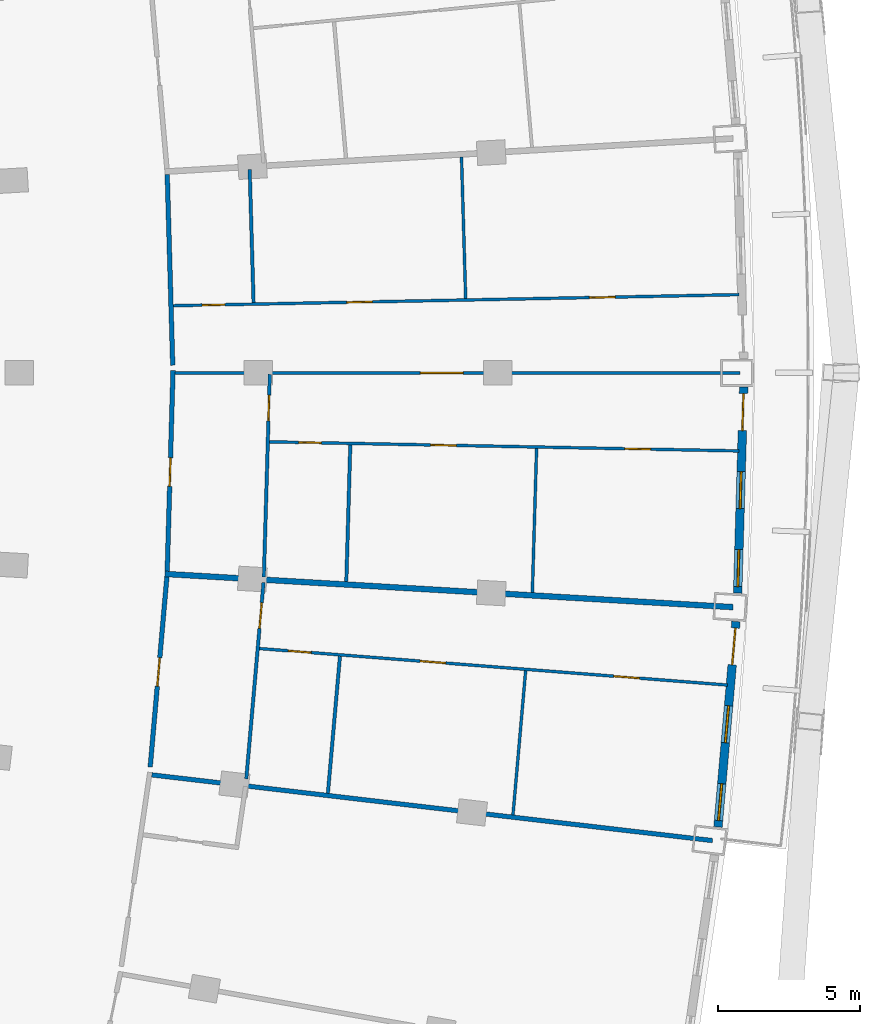
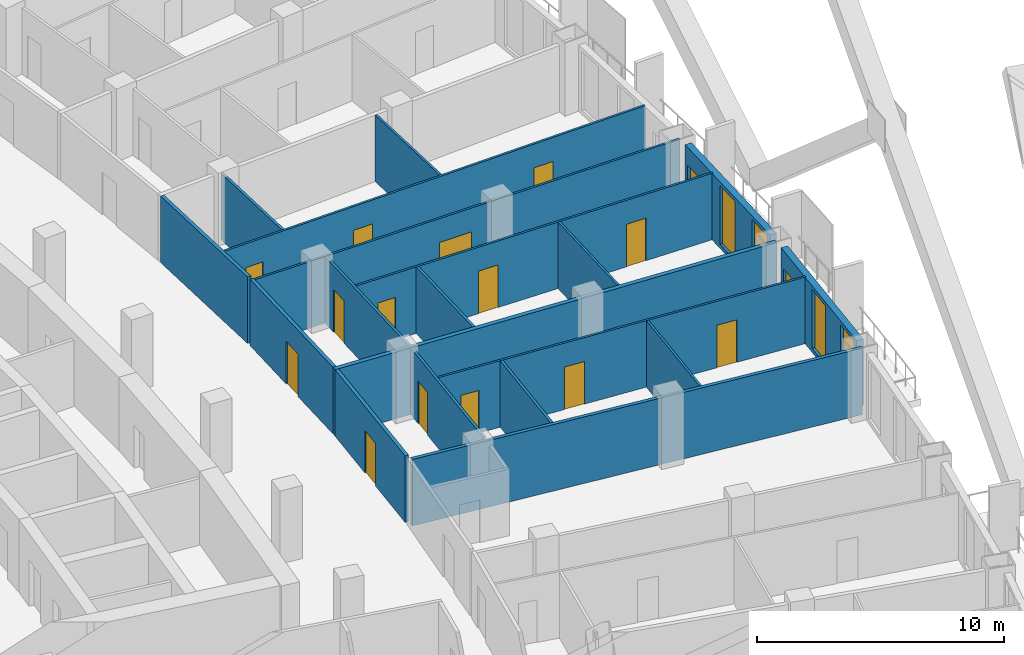
# One storey, part 15 of 24: 19 walls, 16 doors, 4 windows, 20 openings.
"""IFC4 building model written with IfcOpenShell, lengths in metres."""

import ifcopenshell
import ifcopenshell.guid

model = None  # the IFC model being written
_history = None  # IfcOwnerHistory: only IFC2X3 demands one
_inside = {}  # id of a spatial element -> (the spatial element, [elements in it])
_under = {}  # id of a project, library or spatial element -> (it, [spatial elements below it])
_declared = {}  # id of a project -> (the project, [libraries it declares])
_typed = {}  # id of a type object -> (the type object, [elements of that type])
_made_of = {}  # id of a material, layer set ... -> (it, [elements and type objects made of it])


def new_model(schema):
    """Start an empty IFC model of exactly this schema.

    Asked for "IFC4X3", IfcOpenShell would pick the latest addendum, in which some entities
    have other attributes; the version numbers below select the first issue.
    IFC2X3 requires an IfcOwnerHistory on every rooted entity: one is made here for all.
    """
    global model, _history
    if schema == "IFC4X3":
        model = ifcopenshell.file(schema_version=(4, 3, 0, 0))
    else:
        model = ifcopenshell.file(schema=schema)
    _inside.clear()
    _under.clear()
    _declared.clear()
    _typed.clear()
    _made_of.clear()
    _history = None
    if model.schema == "IFC2X3":
        org = make("IfcOrganization", Name="unknown")
        user = make(
            "IfcPersonAndOrganization",
            ThePerson=make("IfcPerson", FamilyName="unknown"),
            TheOrganization=org,
        )
        app = make(
            "IfcApplication",
            ApplicationDeveloper=org,
            Version="unknown",
            ApplicationFullName="unknown",
            ApplicationIdentifier="unknown",
        )
        _history = make(
            "IfcOwnerHistory",
            OwningUser=user,
            OwningApplication=app,
            ChangeAction="ADDED",
            CreationDate=0,
        )
    return model


def make(cls, **values):
    """One entity of the class cls with the attributes given. An attribute that is None is left unset."""
    return model.create_entity(
        cls, **{name: value for name, value in values.items() if value is not None}
    )


def rooted(cls, **values):
    """An entity with a GlobalId (a new one), such as an element, a storey or a relation."""
    return make(cls, GlobalId=ifcopenshell.guid.new(), OwnerHistory=_history, **values)


def si_unit(unit_type, name, prefix=None):
    """IfcSIUnit, for example si_unit("LENGTHUNIT", "METRE", prefix="MILLI")."""
    return make("IfcSIUnit", UnitType=unit_type, Prefix=prefix, Name=name)


def assignment(units):
    """IfcUnitAssignment: the units of a project."""
    return None if units is None else make("IfcUnitAssignment", Units=units)


def point(xyz):
    """IfcCartesianPoint."""
    return None if xyz is None else make("IfcCartesianPoint", Coordinates=xyz)


def direction(xyz):
    """IfcDirection."""
    return None if xyz is None else make("IfcDirection", DirectionRatios=xyz)


def frame(location, z_axis=None, x_axis=None):
    """IfcAxis2Placement3D, a coordinate frame: its origin and axes. An axis left out is left unset."""
    return make(
        "IfcAxis2Placement3D",
        Location=point(location),
        Axis=direction(z_axis),
        RefDirection=direction(x_axis),
    )


def frame_2d(location, x_axis=None):
    """IfcAxis2Placement2D, a coordinate frame in the plane: its origin and x axis."""
    return make(
        "IfcAxis2Placement2D", Location=point(location), RefDirection=direction(x_axis)
    )


def origin():
    """The frame at (0, 0, 0) with its axes left unset."""
    return frame((0.0, 0.0, 0.0))


def place(relative_to, where):
    """IfcLocalPlacement: puts the frame where relative to a parent placement (None: the world)."""
    return make(
        "IfcLocalPlacement", PlacementRelTo=relative_to, RelativePlacement=where
    )


def context(
    kind, dimensions, precision=None, world=None, true_north=None, identifier=None
):
    """IfcGeometricRepresentationContext, for example the 3D "Model" context."""
    return make(
        "IfcGeometricRepresentationContext",
        ContextIdentifier=identifier,
        ContextType=kind,
        CoordinateSpaceDimension=dimensions,
        Precision=precision,
        WorldCoordinateSystem=world,
        TrueNorth=true_north,
    )


def subcontext(parent, identifier, kind, view, scale=None):
    """IfcGeometricRepresentationSubContext, for example "Body" below "Model"."""
    return make(
        "IfcGeometricRepresentationSubContext",
        ContextIdentifier=identifier,
        ContextType=kind,
        ParentContext=parent,
        TargetScale=scale,
        TargetView=view,
    )


def project(units=None, contexts=None):
    """IfcProject with its units and contexts."""
    return rooted(
        "IfcProject",
        Name="project",
        RepresentationContexts=contexts,
        UnitsInContext=assignment(units),
    )


def spatial(cls, under=None, at=None, **own):
    """A site, building, storey or space (cls), placed at a placement, below another one or the project."""
    s = rooted(cls, ObjectPlacement=at, **own)
    if under is not None:
        _under.setdefault(under.id(), (under, []))[1].append(s)
    return s


def profile(cls, at=None, kind="AREA", **sizes):
    """A parametric profile (cls). Its sizes go by their IFC names, for example OverallWidth=200.0."""
    return make(cls, ProfileType=kind, Position=at, **sizes)


def rectangle(**sizes):
    """IfcRectangleProfileDef."""
    return profile("IfcRectangleProfileDef", **sizes)


def extrude(swept, where, along, depth):
    """IfcExtrudedAreaSolid: the profile swept, set in the frame where, extruded along a direction by depth."""
    return make(
        "IfcExtrudedAreaSolid",
        SweptArea=swept,
        Position=where,
        ExtrudedDirection=direction(along),
        Depth=depth,
    )


def shape(context_of_items, identifier, shape_type, items):
    """IfcShapeRepresentation: the items that make up one representation, for example the "Body"."""
    return make(
        "IfcShapeRepresentation",
        ContextOfItems=context_of_items,
        RepresentationIdentifier=identifier,
        RepresentationType=shape_type,
        Items=items,
    )


def material(Name=None, Category=None):
    """IfcMaterial."""
    return make("IfcMaterial", Name=Name, Category=Category)


def layer(
    of_material, thickness, ventilated=None, Name=None, Category=None, Priority=None
):
    """IfcMaterialLayer: one layer of a wall or slab, of a material (None: an air gap)."""
    return make(
        "IfcMaterialLayer",
        Material=of_material,
        LayerThickness=thickness,
        IsVentilated=ventilated,
        Name=Name,
        Category=Category,
        Priority=Priority,
    )


def layer_set(layers, Name=None):
    """IfcMaterialLayerSet."""
    return make("IfcMaterialLayerSet", MaterialLayers=layers, LayerSetName=Name)


def made_of(thing, what):
    """Note that an element or type object is made of a material, layer set ...; save() writes the relation."""
    if what is not None:
        _made_of.setdefault(what.id(), (what, []))[1].append(thing)
    return thing


def type_object(cls, material=None, **own):
    """A type object (cls), such as IfcWallType, which elements share."""
    return made_of(rooted(cls, **own), material)


def element(
    cls,
    number,
    at=None,
    inside=None,
    cuts=None,
    type_object=None,
    material=None,
    context=None,
    identifier="Body",
    shape_type=None,
    held_by="IfcProductDefinitionShape",
    body=None,
    shapes=None,
    **own,
):
    """One element of the class cls, such as IfcWall. Its Tag is "e" and its number.

    at: its placement. inside: the storey or other place that contains it. cuts: it is an
    opening in that element (IfcRelVoidsElement). A single representation is given by context,
    identifier, shape_type and body (its items); several are given by shapes. held_by: the class
    of the entity that holds the representations. save() writes the other relations.
    """
    e = rooted(cls, Tag="e%d" % number, ObjectPlacement=at, **own)
    if body is not None:
        shapes = [shape(context, identifier, shape_type, body)]
    if shapes is not None:
        e.Representation = make(held_by, Representations=shapes)
    if inside is not None:
        _inside.setdefault(inside.id(), (inside, []))[1].append(e)
    if cuts is not None:
        rooted(
            "IfcRelVoidsElement", RelatingBuildingElement=cuts, RelatedOpeningElement=e
        )
    if type_object is not None:
        _typed.setdefault(type_object.id(), (type_object, []))[1].append(e)
    return made_of(e, material)


def fill(opening, filler):
    """IfcRelFillsElement: the door or window that sits in an opening."""
    return rooted(
        "IfcRelFillsElement",
        RelatingOpeningElement=opening,
        RelatedBuildingElement=filler,
    )


def aggregate(whole, parts):
    """IfcRelAggregates: a whole, such as a stair, and the parts it consists of."""
    return rooted("IfcRelAggregates", RelatingObject=whole, RelatedObjects=parts)


def save(model, path):
    """Write the relations noted so far, then the file.

    IfcRelAggregates (storeys below a building ...), IfcRelContainedInSpatialStructure (elements
    in a storey), IfcRelDefinesByType, IfcRelAssociatesMaterial and IfcRelDeclares: one each for
    every whole, place, type object, material and project.
    """
    for whole, parts in _under.values():
        aggregate(whole, parts)
    for where, things in _inside.values():
        rooted(
            "IfcRelContainedInSpatialStructure",
            RelatedElements=things,
            RelatingStructure=where,
        )
    for kind, things in _typed.values():
        rooted("IfcRelDefinesByType", RelatedObjects=things, RelatingType=kind)
    for what, things in _made_of.values():
        rooted("IfcRelAssociatesMaterial", RelatedObjects=things, RelatingMaterial=what)
    for by, libraries in _declared.values():
        rooted("IfcRelDeclares", RelatingContext=by, RelatedDefinitions=libraries)
    model.write(path)


model = new_model("IFC4")

# Units and contexts
model_context = context("Model", 3, precision=1e-05, world=origin(), true_north=direction((0.0, 1.0)))
body_context = subcontext(model_context, "Body", "Model", "MODEL_VIEW")
ifc_project = project(units=[si_unit("LENGTHUNIT", "METRE"), si_unit("AREAUNIT", "SQUARE_METRE"), si_unit("VOLUMEUNIT", "CUBIC_METRE"), si_unit("PLANEANGLEUNIT", "RADIAN"), si_unit("MASSUNIT", "GRAM", prefix="KILO")], contexts=[model_context])

# Site, building, storey
site_placement = place(None, origin())
site = spatial("IfcSite", under=ifc_project, at=site_placement, CompositionType="ELEMENT")
building_placement = place(site_placement, origin())
building = spatial("IfcBuilding", under=site, at=building_placement, Name="Alderwake Tower", CompositionType="ELEMENT")
storey_placement = place(building_placement, frame((0.0, 0.0, 104.0)))
storey = spatial("IfcBuildingStorey", under=building, at=storey_placement, Name="L25", CompositionType="ELEMENT", Elevation=104.0)

# Wall, opening, door
ifc_material_1 = material(Name="Gypsum board on metal studs, rated")
ifc_layer_1 = layer(ifc_material_1, 0.159912109375)
ifc_layer_set_1 = layer_set([ifc_layer_1], Name="Corridor wall 160")
wall_type_1 = type_object("IfcWallType", Name="Corridor wall 160", PredefinedType="PARTITIONING", material=ifc_layer_set_1)
wall_1_placement = place(storey_placement, frame((40.986328125, 53.834228515625, 0.0), z_axis=(0.0, 0.0, 1.0), x_axis=(-0.087437661692, -0.996169993183, 0.0)))
wall_1 = element("IfcWall", 1, at=wall_1_placement, inside=storey, type_object=wall_type_1, Name="WL/L25/W37", PredefinedType="PARTITIONING", context=body_context, shape_type="SweptSolid", body=[
    extrude(rectangle(XDim=6.701171875, YDim=0.159912109375, at=frame_2d((3.3505859375, 0.0))), origin(), (0.0, 0.0, 1.0), 3.280029296875),
])
opening_1_placement = place(wall_1_placement, frame((2.8505859375, 0.0, 0.0)))
opening_1 = element("IfcOpeningElement", 2, at=opening_1_placement, cuts=wall_1, Name="Opening R07-U06.2", PredefinedType="OPENING", context=body_context, shape_type="SweptSolid", body=[
    extrude(rectangle(XDim=1.0, YDim=2.10009765625, at=frame_2d((0.5, 1.050048828125))), frame((0.0, 0.08984375, 0.0), z_axis=(0.0, -1.0, 0.0), x_axis=(1.0, 0.0, 0.0)), (0.0, 0.0, 1.0), 0.179931640625),
])
ifc_material_2 = material(Name="Solid timber leaf in steel frame", Category="steel")
door_type_1 = type_object("IfcDoorType", Name="Flat entrance door 1000 fire-rated", OperationType="SINGLE_SWING_LEFT", PredefinedType="DOOR", material=ifc_material_2)
door_1_placement = place(opening_1_placement, origin())
door_1 = element("IfcDoor", 3, at=door_1_placement, inside=storey, type_object=door_type_1, Name="DR/L25/U06.2", OperationType="SINGLE_SWING_LEFT", OverallHeight=2.10009765625, OverallWidth=1.0, PredefinedType="DOOR", context=body_context, shape_type="SweptSolid", body=[
    extrude(rectangle(XDim=1.0, YDim=2.10009765625, at=frame_2d((0.5, 1.050048828125))), frame((0.0, 0.02490234375, 0.0), z_axis=(0.0, -1.0, 0.0), x_axis=(1.0, 0.0, 0.0)), (0.0, 0.0, 1.0), 0.050048828125),
])
fill(opening_1, door_1)

# Wall
wall_2_placement = place(storey_placement, frame((40.45654296875, 46.8837890625, 0.0), z_axis=(0.0, 0.0, 1.0), x_axis=(0.993202888972, -0.116395967876, 0.0)))
element("IfcWall", 4, at=wall_2_placement, inside=storey, type_object=wall_type_1, Name="WL/L25/W38", PredefinedType="PARTITIONING", context=body_context, shape_type="SweptSolid", body=[
    extrude(rectangle(XDim=19.8193359375, YDim=0.159912109375, at=frame_2d((9.90966796875, 0.0))), origin(), (0.0, 0.0, 1.0), 3.280029296875),
])

# Wall, opening, door
wall_3_placement = place(storey_placement, frame((41.201416015625, 61.0791015625, 0.0), z_axis=(0.0, 0.0, 1.0), x_axis=(-0.028889070526, -0.999582623701, 0.0)))
wall_3 = element("IfcWall", 5, at=wall_3_placement, inside=storey, type_object=wall_type_1, Name="WL/L25/W40", PredefinedType="PARTITIONING", context=body_context, shape_type="SweptSolid", body=[
    extrude(rectangle(XDim=7.048095703125, YDim=0.159912109375, at=frame_2d((3.52392578125, 0.0))), origin(), (0.0, 0.0, 1.0), 3.280029296875),
])
opening_2_placement = place(wall_3_placement, frame((3.0634765625, 0.0, 0.0)))
opening_2 = element("IfcOpeningElement", 6, at=opening_2_placement, cuts=wall_3, Name="Opening R07-U07.2", PredefinedType="OPENING", context=body_context, shape_type="SweptSolid", body=[
    extrude(rectangle(XDim=1.0, YDim=2.10009765625, at=frame_2d((0.5, 1.050048828125))), frame((0.0, 0.08984375, 0.0), z_axis=(0.0, -1.0, 0.0), x_axis=(1.0, 0.0, 0.0)), (0.0, 0.0, 1.0), 0.179931640625),
])
door_2_placement = place(opening_2_placement, origin())
door_2 = element("IfcDoor", 7, at=door_2_placement, inside=storey, type_object=door_type_1, Name="DR/L25/U07.2", OperationType="SINGLE_SWING_LEFT", OverallHeight=2.10009765625, OverallWidth=1.0, PredefinedType="DOOR", context=body_context, shape_type="SweptSolid", body=[
    extrude(rectangle(XDim=1.0, YDim=2.10009765625, at=frame_2d((0.5, 1.050048828125))), frame((0.0, 0.02490234375, 0.0), z_axis=(0.0, -1.0, 0.0), x_axis=(1.0, 0.0, 0.0)), (0.0, 0.0, 1.0), 0.050048828125),
])
fill(opening_2, door_2)

# Wall
wall_4_placement = place(storey_placement, frame((40.997802734375, 67.967041015625, 0.0), z_axis=(0.0, 0.0, 1.0), x_axis=(0.0288778927, -0.99958294669, 0.0)))
element("IfcWall", 8, at=wall_4_placement, inside=storey, type_object=wall_type_1, Name="WL/L25/W42", PredefinedType="PARTITIONING", context=body_context, shape_type="SweptSolid", body=[
    extrude(rectangle(XDim=6.7041015625, YDim=0.159912109375, at=frame_2d((3.35205078125, 0.0))), origin(), (0.0, 0.0, 1.0), 3.280029296875),
])

# Wall, openings, door, windows
ifc_material_3 = material(Name="Precast concrete C50/60 spandrel panel", Category="concrete")
ifc_layer_2 = layer(ifc_material_3, 0.300048828125)
ifc_layer_set_2 = layer_set([ifc_layer_2], Name="External wall EW1 Precast concrete C50/60 spandrel")
wall_type_2 = type_object("IfcWallType", Name="External wall EW1 Precast concrete C50/60 spandrel", PredefinedType="SOLIDWALL", material=ifc_layer_set_2)
wall_5_placement = place(storey_placement, frame((60.33349609375, 45.05517578125, 0.0), z_axis=(0.0, 0.0, 1.0), x_axis=(0.087394900945, 0.996173745533, 0.0)))
wall_5 = element("IfcWall", 9, at=wall_5_placement, inside=storey, type_object=wall_type_2, Name="External wall 15", PredefinedType="SOLIDWALL", context=body_context, shape_type="SweptSolid", body=[
    extrude(rectangle(XDim=7.24072265625, YDim=0.300048828125, at=frame_2d((3.620361328125, 0.0))), origin(), (0.0, 0.0, 1.0), 3.280029296875),
])
opening_3_placement = place(wall_5_placement, frame((0.22900390625, 0.0, 0.199951171875)))
opening_3 = element("IfcOpeningElement", 10, at=opening_3_placement, cuts=wall_5, Name="Opening W1", PredefinedType="OPENING", context=body_context, shape_type="SweptSolid", body=[
    extrude(rectangle(XDim=1.300048828125, YDim=2.89990234375, at=frame_2d((0.64990234375, 1.449951171875))), frame((0.0, 0.159912109375, 0.0), z_axis=(0.0, -1.0, 0.0), x_axis=(1.0, 0.0, 0.0)), (0.0, 0.0, 1.0), 0.320068359375),
])
opening_4_placement = place(wall_5_placement, frame((2.970458984375, 0.0, 0.199951171875)))
opening_4 = element("IfcOpeningElement", 11, at=opening_4_placement, cuts=wall_5, Name="Opening W1", PredefinedType="OPENING", context=body_context, shape_type="SweptSolid", body=[
    extrude(rectangle(XDim=1.300048828125, YDim=2.89990234375, at=frame_2d((0.64990234375, 1.449951171875))), frame((0.0, 0.159912109375, 0.0), z_axis=(0.0, -1.0, 0.0), x_axis=(1.0, 0.0, 0.0)), (0.0, 0.0, 1.0), 0.320068359375),
])
opening_5_placement = place(wall_5_placement, frame((5.711669921875, 0.0, 0.0)))
opening_5 = element("IfcOpeningElement", 12, at=opening_5_placement, cuts=wall_5, Name="Opening D05", PredefinedType="OPENING", context=body_context, shape_type="SweptSolid", body=[
    extrude(rectangle(XDim=1.300048828125, YDim=2.39990234375, at=frame_2d((0.64990234375, 1.199951171875))), frame((0.0, 0.159912109375, 0.0), z_axis=(0.0, -1.0, 0.0), x_axis=(1.0, 0.0, 0.0)), (0.0, 0.0, 1.0), 0.320068359375),
])
ifc_material_4 = material(Name="Bronze tinted glass in aluminium frame", Category="aluminium")
door_type_2 = type_object("IfcDoorType", Name="Balcony door BD sliding", OperationType="SLIDING_TO_LEFT", PredefinedType="DOOR", material=ifc_material_4)
door_3_placement = place(opening_5_placement, origin())
door_3 = element("IfcDoor", 13, at=door_3_placement, inside=storey, type_object=door_type_2, Name="Door D05", OperationType="SLIDING_TO_LEFT", OverallHeight=2.39990234375, OverallWidth=1.300048828125, PredefinedType="DOOR", context=body_context, shape_type="SweptSolid", body=[
    extrude(rectangle(XDim=1.300048828125, YDim=2.39990234375, at=frame_2d((0.64990234375, 1.199951171875))), frame((0.0, 0.02490234375, 0.0), z_axis=(0.0, -1.0, 0.0), x_axis=(1.0, 0.0, 0.0)), (0.0, 0.0, 1.0), 0.050048828125),
])
fill(opening_5, door_3)
ifc_material_5 = material(Name="Bronze tinted glass in aluminium frame", Category="aluminium")
window_type = type_object("IfcWindowType", Name="Window W1 tall fixed and vent", PartitioningType="DOUBLE_PANEL_VERTICAL", PredefinedType="WINDOW", material=ifc_material_5)
window_1_placement = place(opening_3_placement, origin())
window_1 = element("IfcWindow", 14, at=window_1_placement, inside=storey, type_object=window_type, Name="Window W1 tall fixed and vent", OverallHeight=2.89990234375, OverallWidth=1.300048828125, PartitioningType="DOUBLE_PANEL_VERTICAL", PredefinedType="WINDOW", context=body_context, shape_type="SweptSolid", body=[
    extrude(rectangle(XDim=1.300048828125, YDim=2.89990234375, at=frame_2d((0.64990234375, 1.449951171875))), frame((0.0, 0.030029296875, 0.0), z_axis=(0.0, -1.0, 0.0), x_axis=(1.0, 0.0, 0.0)), (0.0, 0.0, 1.0), 0.06005859375),
])
fill(opening_3, window_1)
window_2_placement = place(opening_4_placement, origin())
window_2 = element("IfcWindow", 15, at=window_2_placement, inside=storey, type_object=window_type, Name="Window W1 tall fixed and vent", OverallHeight=2.89990234375, OverallWidth=1.300048828125, PartitioningType="DOUBLE_PANEL_VERTICAL", PredefinedType="WINDOW", context=body_context, shape_type="SweptSolid", body=[
    extrude(rectangle(XDim=1.300048828125, YDim=2.89990234375, at=frame_2d((0.64990234375, 1.449951171875))), frame((0.0, 0.030029296875, 0.0), z_axis=(0.0, -1.0, 0.0), x_axis=(1.0, 0.0, 0.0)), (0.0, 0.0, 1.0), 0.06005859375),
])
fill(opening_4, window_2)

wall_6_placement = place(storey_placement, frame((61.0244140625, 53.263916015625, 0.0), z_axis=(0.0, 0.0, 1.0), x_axis=(0.029132510791, 0.999575558332, 0.0)))
wall_6 = element("IfcWall", 16, at=wall_6_placement, inside=storey, type_object=wall_type_2, Name="External wall 16", PredefinedType="SOLIDWALL", context=body_context, shape_type="SweptSolid", body=[
    extrude(rectangle(XDim=7.24072265625, YDim=0.300048828125, at=frame_2d((3.620361328125, 0.0))), origin(), (0.0, 0.0, 1.0), 3.280029296875),
])
opening_6_placement = place(wall_6_placement, frame((0.22900390625, 0.0, 0.199951171875)))
opening_6 = element("IfcOpeningElement", 17, at=opening_6_placement, cuts=wall_6, Name="Opening W1", PredefinedType="OPENING", context=body_context, shape_type="SweptSolid", body=[
    extrude(rectangle(XDim=1.300048828125, YDim=2.89990234375, at=frame_2d((0.64990234375, 1.449951171875))), frame((0.0, 0.159912109375, 0.0), z_axis=(0.0, -1.0, 0.0), x_axis=(1.0, 0.0, 0.0)), (0.0, 0.0, 1.0), 0.320068359375),
])
opening_7_placement = place(wall_6_placement, frame((2.97021484375, 0.0, 0.199951171875)))
opening_7 = element("IfcOpeningElement", 18, at=opening_7_placement, cuts=wall_6, Name="Opening W1", PredefinedType="OPENING", context=body_context, shape_type="SweptSolid", body=[
    extrude(rectangle(XDim=1.300048828125, YDim=2.89990234375, at=frame_2d((0.64990234375, 1.449951171875))), frame((0.0, 0.159912109375, 0.0), z_axis=(0.0, -1.0, 0.0), x_axis=(1.0, 0.0, 0.0)), (0.0, 0.0, 1.0), 0.320068359375),
])
opening_8_placement = place(wall_6_placement, frame((5.711669921875, 0.0, 0.0)))
opening_8 = element("IfcOpeningElement", 19, at=opening_8_placement, cuts=wall_6, Name="Opening D06", PredefinedType="OPENING", context=body_context, shape_type="SweptSolid", body=[
    extrude(rectangle(XDim=1.300048828125, YDim=2.39990234375, at=frame_2d((0.64990234375, 1.199951171875))), frame((0.0, 0.159912109375, 0.0), z_axis=(0.0, -1.0, 0.0), x_axis=(1.0, 0.0, 0.0)), (0.0, 0.0, 1.0), 0.320068359375),
])
door_4_placement = place(opening_8_placement, origin())
door_4 = element("IfcDoor", 20, at=door_4_placement, inside=storey, type_object=door_type_2, Name="Door D06", OperationType="SLIDING_TO_LEFT", OverallHeight=2.39990234375, OverallWidth=1.300048828125, PredefinedType="DOOR", context=body_context, shape_type="SweptSolid", body=[
    extrude(rectangle(XDim=1.300048828125, YDim=2.39990234375, at=frame_2d((0.64990234375, 1.199951171875))), frame((0.0, 0.02490234375, 0.0), z_axis=(0.0, -1.0, 0.0), x_axis=(1.0, 0.0, 0.0)), (0.0, 0.0, 1.0), 0.050048828125),
])
fill(opening_8, door_4)
window_3_placement = place(opening_6_placement, origin())
window_3 = element("IfcWindow", 21, at=window_3_placement, inside=storey, type_object=window_type, Name="Window W1 tall fixed and vent", OverallHeight=2.89990234375, OverallWidth=1.300048828125, PartitioningType="DOUBLE_PANEL_VERTICAL", PredefinedType="WINDOW", context=body_context, shape_type="SweptSolid", body=[
    extrude(rectangle(XDim=1.300048828125, YDim=2.89990234375, at=frame_2d((0.64990234375, 1.449951171875))), frame((0.0, 0.030029296875, 0.0), z_axis=(0.0, -1.0, 0.0), x_axis=(1.0, 0.0, 0.0)), (0.0, 0.0, 1.0), 0.06005859375),
])
fill(opening_6, window_3)
window_4_placement = place(opening_7_placement, origin())
window_4 = element("IfcWindow", 22, at=window_4_placement, inside=storey, type_object=window_type, Name="Window W1 tall fixed and vent", OverallHeight=2.89990234375, OverallWidth=1.300048828125, PartitioningType="DOUBLE_PANEL_VERTICAL", PredefinedType="WINDOW", context=body_context, shape_type="SweptSolid", body=[
    extrude(rectangle(XDim=1.300048828125, YDim=2.89990234375, at=frame_2d((0.64990234375, 1.449951171875))), frame((0.0, 0.030029296875, 0.0), z_axis=(0.0, -1.0, 0.0), x_axis=(1.0, 0.0, 0.0)), (0.0, 0.0, 1.0), 0.06005859375),
])
fill(opening_7, window_4)

# Wall
ifc_material_6 = material(Name="Dense block masonry wall", Category="masonry")
ifc_layer_3 = layer(ifc_material_6, 0.199951171875)
ifc_layer_set_3 = layer_set([ifc_layer_3], Name="Party wall 200")
wall_type_3 = type_object("IfcWallType", Name="Party wall 200", PredefinedType="SOLIDWALL", material=ifc_layer_set_3)
wall_7_placement = place(storey_placement, frame((40.9150390625, 53.938720703125, 0.0), z_axis=(0.0, 0.0, 1.0), x_axis=(0.998296381443, -0.0583466777, 0.0)))
element("IfcWall", 23, at=wall_7_placement, inside=storey, type_object=wall_type_3, Name="WL/L25/W09", PredefinedType="SOLIDWALL", context=body_context, shape_type="SweptSolid", body=[
    extrude(rectangle(XDim=19.97998046875, YDim=0.199951171875, at=frame_2d((9.989990234375, 0.0))), origin(), (0.0, 0.0, 1.0), 3.280029296875),
])

# Wall, openings, doors
ifc_material_7 = material(Name="Gypsum board on metal studs")
ifc_layer_4 = layer(ifc_material_7, 0.10009765625)
ifc_layer_set_4 = layer_set([ifc_layer_4], Name="Unit partition 100")
wall_type_4 = type_object("IfcWallType", Name="Unit partition 100", PredefinedType="PARTITIONING", material=ifc_layer_set_4)
wall_8_placement = place(storey_placement, frame((41.2099609375, 63.355712890625, 0.0), z_axis=(0.0, 0.0, 1.0), x_axis=(0.999809052465, 0.019541202855, 0.0)))
wall_8 = element("IfcWall", 24, at=wall_8_placement, inside=storey, type_object=wall_type_4, Name="WL/L25/W74", PredefinedType="PARTITIONING", context=body_context, shape_type="SweptSolid", body=[
    extrude(rectangle(XDim=19.864990234375, YDim=0.10009765625, at=frame_2d((9.9326171875, 0.0))), origin(), (0.0, 0.0, 1.0), 3.280029296875),
])
opening_9_placement = place(wall_8_placement, frame((6.093994140625, 0.0, 0.0)))
opening_9 = element("IfcOpeningElement", 25, at=opening_9_placement, cuts=wall_8, Name="Opening R07-U07.6", PredefinedType="OPENING", context=body_context, shape_type="SweptSolid", body=[
    extrude(rectangle(XDim=0.89990234375, YDim=2.10009765625, at=frame_2d((0.449951171875, 1.050048828125))), frame((0.0, 0.06005859375, 0.0), z_axis=(0.0, -1.0, 0.0), x_axis=(1.0, 0.0, 0.0)), (0.0, 0.0, 1.0), 0.1201171875),
])
opening_10_placement = place(wall_8_placement, frame((1.010009765625, 0.0, 0.0)))
opening_10 = element("IfcOpeningElement", 26, at=opening_10_placement, cuts=wall_8, Name="Opening R07-U07.7", PredefinedType="OPENING", context=body_context, shape_type="SweptSolid", body=[
    extrude(rectangle(XDim=0.800048828125, YDim=2.10009765625, at=frame_2d((0.39990234375, 1.050048828125))), frame((0.0, 0.06005859375, 0.0), z_axis=(0.0, -1.0, 0.0), x_axis=(1.0, 0.0, 0.0)), (0.0, 0.0, 1.0), 0.1201171875),
])
opening_11_placement = place(wall_8_placement, frame((14.615966796875, 0.0, 0.0)))
opening_11 = element("IfcOpeningElement", 27, at=opening_11_placement, cuts=wall_8, Name="Opening R07-U07.8", PredefinedType="OPENING", context=body_context, shape_type="SweptSolid", body=[
    extrude(rectangle(XDim=0.89990234375, YDim=2.10009765625, at=frame_2d((0.449951171875, 1.050048828125))), frame((0.0, 0.06005859375, 0.0), z_axis=(0.0, -1.0, 0.0), x_axis=(1.0, 0.0, 0.0)), (0.0, 0.0, 1.0), 0.1201171875),
])
ifc_material_8 = material(Name="Painted timber leaf", Category="wood")
door_type_3 = type_object("IfcDoorType", Name="Bathroom door 800", OperationType="SINGLE_SWING_LEFT", PredefinedType="DOOR", material=ifc_material_8)
door_5_placement = place(opening_10_placement, origin())
door_5 = element("IfcDoor", 28, at=door_5_placement, inside=storey, type_object=door_type_3, Name="DR/L25/U07.7", OperationType="SINGLE_SWING_LEFT", OverallHeight=2.10009765625, OverallWidth=0.800048828125, PredefinedType="DOOR", context=body_context, shape_type="SweptSolid", body=[
    extrude(rectangle(XDim=0.800048828125, YDim=2.10009765625, at=frame_2d((0.39990234375, 1.050048828125))), frame((0.0, 0.02490234375, 0.0), z_axis=(0.0, -1.0, 0.0), x_axis=(1.0, 0.0, 0.0)), (0.0, 0.0, 1.0), 0.050048828125),
])
fill(opening_10, door_5)
ifc_material_9 = material(Name="Painted timber leaf", Category="wood")
door_type_4 = type_object("IfcDoorType", Name="Room door 900", OperationType="SINGLE_SWING_LEFT", PredefinedType="DOOR", material=ifc_material_9)
door_6_placement = place(opening_9_placement, origin())
door_6 = element("IfcDoor", 29, at=door_6_placement, inside=storey, type_object=door_type_4, Name="DR/L25/U07.6", OperationType="SINGLE_SWING_LEFT", OverallHeight=2.10009765625, OverallWidth=0.89990234375, PredefinedType="DOOR", context=body_context, shape_type="SweptSolid", body=[
    extrude(rectangle(XDim=0.89990234375, YDim=2.10009765625, at=frame_2d((0.449951171875, 1.050048828125))), frame((0.0, 0.02490234375, 0.0), z_axis=(0.0, -1.0, 0.0), x_axis=(1.0, 0.0, 0.0)), (0.0, 0.0, 1.0), 0.050048828125),
])
fill(opening_9, door_6)
door_7_placement = place(opening_11_placement, origin())
door_7 = element("IfcDoor", 30, at=door_7_placement, inside=storey, type_object=door_type_4, Name="DR/L25/U07.8", OperationType="SINGLE_SWING_LEFT", OverallHeight=2.10009765625, OverallWidth=0.89990234375, PredefinedType="DOOR", context=body_context, shape_type="SweptSolid", body=[
    extrude(rectangle(XDim=0.89990234375, YDim=2.10009765625, at=frame_2d((0.449951171875, 1.050048828125))), frame((0.0, 0.02490234375, 0.0), z_axis=(0.0, -1.0, 0.0), x_axis=(1.0, 0.0, 0.0)), (0.0, 0.0, 1.0), 0.050048828125),
])
fill(opening_11, door_7)

# Wall, opening, door
wall_9_placement = place(storey_placement, frame((41.279052734375, 60.9990234375, 0.0), z_axis=(0.0, 0.0, 1.0), x_axis=(1.0, 0.0, 0.0)))
wall_9 = element("IfcWall", 31, at=wall_9_placement, inside=storey, type_object=wall_type_4, Name="WL/L25/W75", PredefinedType="PARTITIONING", context=body_context, shape_type="SweptSolid", body=[
    extrude(rectangle(XDim=19.822021484375, YDim=0.10009765625, at=frame_2d((9.9111328125, 0.0))), origin(), (0.0, 0.0, 1.0), 3.280029296875),
])
opening_12_placement = place(wall_9_placement, frame((8.606689453125, 0.0, 0.0)))
opening_12 = element("IfcOpeningElement", 32, at=opening_12_placement, cuts=wall_9, Name="Opening R07-U07.9", PredefinedType="OPENING", context=body_context, shape_type="SweptSolid", body=[
    extrude(rectangle(XDim=1.5, YDim=2.10009765625, at=frame_2d((0.75, 1.050048828125))), frame((0.0, 0.06005859375, 0.0), z_axis=(0.0, -1.0, 0.0), x_axis=(1.0, 0.0, 0.0)), (0.0, 0.0, 1.0), 0.1201171875),
])
ifc_material_10 = material(Name="Painted timber leaves", Category="wood")
door_type_5 = type_object("IfcDoorType", Name="Double leaf door 1500", OperationType="DOUBLE_DOOR_SINGLE_SWING", PredefinedType="DOOR", material=ifc_material_10)
door_8_placement = place(opening_12_placement, origin())
door_8 = element("IfcDoor", 33, at=door_8_placement, inside=storey, type_object=door_type_5, Name="DR/L25/U07.9", OperationType="DOUBLE_DOOR_SINGLE_SWING", OverallHeight=2.10009765625, OverallWidth=1.5, PredefinedType="DOOR", context=body_context, shape_type="SweptSolid", body=[
    extrude(rectangle(XDim=1.5, YDim=2.10009765625, at=frame_2d((0.75, 1.050048828125))), frame((0.0, 0.02490234375, 0.0), z_axis=(0.0, -1.0, 0.0), x_axis=(1.0, 0.0, 0.0)), (0.0, 0.0, 1.0), 0.050048828125),
])
fill(opening_12, door_8)

# Wall, openings, doors
wall_10_placement = place(storey_placement, frame((60.6689453125, 50.037109375, 0.0), z_axis=(0.0, 0.0, 1.0), x_axis=(-0.996970078833, 0.077786000743, 0.0)))
wall_10 = element("IfcWall", 34, at=wall_10_placement, inside=storey, type_object=wall_type_4, Name="WL/L25/W78", PredefinedType="PARTITIONING", context=body_context, shape_type="SweptSolid", body=[
    extrude(rectangle(XDim=16.484130859375, YDim=0.10009765625, at=frame_2d((8.2421875, 0.0))), origin(), (0.0, 0.0, 1.0), 3.280029296875),
])
opening_13_placement = place(wall_10_placement, frame((9.92431640625, 0.0, 0.0)))
opening_13 = element("IfcOpeningElement", 35, at=opening_13_placement, cuts=wall_10, Name="Opening R07-U06.1", PredefinedType="OPENING", context=body_context, shape_type="SweptSolid", body=[
    extrude(rectangle(XDim=0.89990234375, YDim=2.10009765625, at=frame_2d((0.449951171875, 1.050048828125))), frame((0.0, 0.06005859375, 0.0), z_axis=(0.0, -1.0, 0.0), x_axis=(1.0, 0.0, 0.0)), (0.0, 0.0, 1.0), 0.1201171875),
])
opening_14_placement = place(wall_10_placement, frame((14.663818359375, 0.0, 0.0)))
opening_14 = element("IfcOpeningElement", 36, at=opening_14_placement, cuts=wall_10, Name="Opening R07-U06.4", PredefinedType="OPENING", context=body_context, shape_type="SweptSolid", body=[
    extrude(rectangle(XDim=0.800048828125, YDim=2.10009765625, at=frame_2d((0.39990234375, 1.050048828125))), frame((0.0, 0.06005859375, 0.0), z_axis=(0.0, -1.0, 0.0), x_axis=(1.0, 0.0, 0.0)), (0.0, 0.0, 1.0), 0.1201171875),
])
opening_15_placement = place(wall_10_placement, frame((3.102294921875, 0.0, 0.0)))
opening_15 = element("IfcOpeningElement", 37, at=opening_15_placement, cuts=wall_10, Name="Opening R07-U06.5", PredefinedType="OPENING", context=body_context, shape_type="SweptSolid", body=[
    extrude(rectangle(XDim=0.89990234375, YDim=2.10009765625, at=frame_2d((0.449951171875, 1.050048828125))), frame((0.0, 0.06005859375, 0.0), z_axis=(0.0, -1.0, 0.0), x_axis=(1.0, 0.0, 0.0)), (0.0, 0.0, 1.0), 0.1201171875),
])
door_9_placement = place(opening_14_placement, origin())
door_9 = element("IfcDoor", 38, at=door_9_placement, inside=storey, type_object=door_type_3, Name="DR/L25/U06.4", OperationType="SINGLE_SWING_LEFT", OverallHeight=2.10009765625, OverallWidth=0.800048828125, PredefinedType="DOOR", context=body_context, shape_type="SweptSolid", body=[
    extrude(rectangle(XDim=0.800048828125, YDim=2.10009765625, at=frame_2d((0.39990234375, 1.050048828125))), frame((0.0, 0.02490234375, 0.0), z_axis=(0.0, -1.0, 0.0), x_axis=(1.0, 0.0, 0.0)), (0.0, 0.0, 1.0), 0.050048828125),
])
fill(opening_14, door_9)
door_10_placement = place(opening_13_placement, origin())
door_10 = element("IfcDoor", 39, at=door_10_placement, inside=storey, type_object=door_type_4, Name="DR/L25/U06.1", OperationType="SINGLE_SWING_LEFT", OverallHeight=2.10009765625, OverallWidth=0.89990234375, PredefinedType="DOOR", context=body_context, shape_type="SweptSolid", body=[
    extrude(rectangle(XDim=0.89990234375, YDim=2.10009765625, at=frame_2d((0.449951171875, 1.050048828125))), frame((0.0, 0.02490234375, 0.0), z_axis=(0.0, -1.0, 0.0), x_axis=(1.0, 0.0, 0.0)), (0.0, 0.0, 1.0), 0.050048828125),
])
fill(opening_13, door_10)
door_11_placement = place(opening_15_placement, origin())
door_11 = element("IfcDoor", 40, at=door_11_placement, inside=storey, type_object=door_type_4, Name="DR/L25/U06.5", OperationType="SINGLE_SWING_LEFT", OverallHeight=2.10009765625, OverallWidth=0.89990234375, PredefinedType="DOOR", context=body_context, shape_type="SweptSolid", body=[
    extrude(rectangle(XDim=0.89990234375, YDim=2.10009765625, at=frame_2d((0.449951171875, 1.050048828125))), frame((0.0, 0.02490234375, 0.0), z_axis=(0.0, -1.0, 0.0), x_axis=(1.0, 0.0, 0.0)), (0.0, 0.0, 1.0), 0.050048828125),
])
fill(opening_15, door_11)

wall_11_placement = place(storey_placement, frame((61.071044921875, 58.257080078125, 0.0), z_axis=(0.0, 0.0, 1.0), x_axis=(-0.999811785207, 0.019400880442, 0.0)))
wall_11 = element("IfcWall", 41, at=wall_11_placement, inside=storey, type_object=wall_type_4, Name="WL/L25/W79", PredefinedType="PARTITIONING", context=body_context, shape_type="SweptSolid", body=[
    extrude(rectangle(XDim=16.485107421875, YDim=0.10009765625, at=frame_2d((8.24267578125, 0.0))), origin(), (0.0, 0.0, 1.0), 3.280029296875),
])
opening_16_placement = place(wall_11_placement, frame((9.92626953125, 0.0, 0.0)))
opening_16 = element("IfcOpeningElement", 42, at=opening_16_placement, cuts=wall_11, Name="Opening R07-U07.1", PredefinedType="OPENING", context=body_context, shape_type="SweptSolid", body=[
    extrude(rectangle(XDim=0.89990234375, YDim=2.10009765625, at=frame_2d((0.449951171875, 1.050048828125))), frame((0.0, 0.06005859375, 0.0), z_axis=(0.0, -1.0, 0.0), x_axis=(1.0, 0.0, 0.0)), (0.0, 0.0, 1.0), 0.1201171875),
])
opening_17_placement = place(wall_11_placement, frame((14.66552734375, 0.0, 0.0)))
opening_17 = element("IfcOpeningElement", 43, at=opening_17_placement, cuts=wall_11, Name="Opening R07-U07.4", PredefinedType="OPENING", context=body_context, shape_type="SweptSolid", body=[
    extrude(rectangle(XDim=0.800048828125, YDim=2.10009765625, at=frame_2d((0.39990234375, 1.050048828125))), frame((0.0, 0.06005859375, 0.0), z_axis=(0.0, -1.0, 0.0), x_axis=(1.0, 0.0, 0.0)), (0.0, 0.0, 1.0), 0.1201171875),
])
opening_18_placement = place(wall_11_placement, frame((3.10400390625, 0.0, 0.0)))
opening_18 = element("IfcOpeningElement", 44, at=opening_18_placement, cuts=wall_11, Name="Opening R07-U07.5", PredefinedType="OPENING", context=body_context, shape_type="SweptSolid", body=[
    extrude(rectangle(XDim=0.89990234375, YDim=2.10009765625, at=frame_2d((0.449951171875, 1.050048828125))), frame((0.0, 0.06005859375, 0.0), z_axis=(0.0, -1.0, 0.0), x_axis=(1.0, 0.0, 0.0)), (0.0, 0.0, 1.0), 0.1201171875),
])
door_12_placement = place(opening_17_placement, origin())
door_12 = element("IfcDoor", 45, at=door_12_placement, inside=storey, type_object=door_type_3, Name="DR/L25/U07.4", OperationType="SINGLE_SWING_LEFT", OverallHeight=2.10009765625, OverallWidth=0.800048828125, PredefinedType="DOOR", context=body_context, shape_type="SweptSolid", body=[
    extrude(rectangle(XDim=0.800048828125, YDim=2.10009765625, at=frame_2d((0.39990234375, 1.050048828125))), frame((0.0, 0.02490234375, 0.0), z_axis=(0.0, -1.0, 0.0), x_axis=(1.0, 0.0, 0.0)), (0.0, 0.0, 1.0), 0.050048828125),
])
fill(opening_17, door_12)
door_13_placement = place(opening_16_placement, origin())
door_13 = element("IfcDoor", 46, at=door_13_placement, inside=storey, type_object=door_type_4, Name="DR/L25/U07.1", OperationType="SINGLE_SWING_LEFT", OverallHeight=2.10009765625, OverallWidth=0.89990234375, PredefinedType="DOOR", context=body_context, shape_type="SweptSolid", body=[
    extrude(rectangle(XDim=0.89990234375, YDim=2.10009765625, at=frame_2d((0.449951171875, 1.050048828125))), frame((0.0, 0.02490234375, 0.0), z_axis=(0.0, -1.0, 0.0), x_axis=(1.0, 0.0, 0.0)), (0.0, 0.0, 1.0), 0.050048828125),
])
fill(opening_16, door_13)
door_14_placement = place(opening_18_placement, origin())
door_14 = element("IfcDoor", 47, at=door_14_placement, inside=storey, type_object=door_type_4, Name="DR/L25/U07.5", OperationType="SINGLE_SWING_LEFT", OverallHeight=2.10009765625, OverallWidth=0.89990234375, PredefinedType="DOOR", context=body_context, shape_type="SweptSolid", body=[
    extrude(rectangle(XDim=0.89990234375, YDim=2.10009765625, at=frame_2d((0.449951171875, 1.050048828125))), frame((0.0, 0.02490234375, 0.0), z_axis=(0.0, -1.0, 0.0), x_axis=(1.0, 0.0, 0.0)), (0.0, 0.0, 1.0), 0.050048828125),
])
fill(opening_18, door_14)

# Walls
wall_12_placement = place(storey_placement, frame((51.4755859375, 63.60498046875, 0.0), z_axis=(0.0, 0.0, 1.0), x_axis=(-0.029342722012, 0.999569409628, 0.0)))
element("IfcWall", 48, at=wall_12_placement, inside=storey, type_object=wall_type_4, Name="WL/L25/W86", PredefinedType="PARTITIONING", context=body_context, shape_type="SweptSolid", body=[
    extrude(rectangle(XDim=4.96728515625, YDim=0.10009765625, at=frame_2d((2.483642578125, 0.0))), origin(), (0.0, 0.0, 1.0), 3.280029296875),
])
wall_13_placement = place(storey_placement, frame((53.136962890625, 45.4755859375, 0.0), z_axis=(0.0, 0.0, 1.0), x_axis=(0.087460675888, 0.996167972871, 0.0)))
element("IfcWall", 49, at=wall_13_placement, inside=storey, type_object=wall_type_4, Name="WL/L25/W87", PredefinedType="PARTITIONING", context=body_context, shape_type="SweptSolid", body=[
    extrude(rectangle(XDim=5.083251953125, YDim=0.10009765625, at=frame_2d((2.54150390625, 0.0))), origin(), (0.0, 0.0, 1.0), 3.280029296875),
])
wall_14_placement = place(storey_placement, frame((53.81689453125, 53.283935546875, 0.0), z_axis=(0.0, 0.0, 1.0), x_axis=(0.02936504444, 0.999568754096, 0.0)))
element("IfcWall", 50, at=wall_14_placement, inside=storey, type_object=wall_type_4, Name="WL/L25/W89", PredefinedType="PARTITIONING", context=body_context, shape_type="SweptSolid", body=[
    extrude(rectangle(XDim=5.063232421875, YDim=0.10009765625, at=frame_2d((2.53173828125, 0.0))), origin(), (0.0, 0.0, 1.0), 3.280029296875),
])

# Wall, opening, door
ifc_material_11 = material(Name="Moisture resistant gypsum board on metal studs")
ifc_layer_5 = layer(ifc_material_11, 0.1201171875)
ifc_layer_set_5 = layer_set([ifc_layer_5], Name="Wet room partition 120")
wall_type_5 = type_object("IfcWallType", Name="Wet room partition 120", PredefinedType="PARTITIONING", material=ifc_layer_set_5)
wall_15_placement = place(storey_placement, frame((44.379150390625, 53.63623046875, 0.0), z_axis=(0.0, 0.0, 1.0), x_axis=(-0.087502350371, -0.996164313093, 0.0)))
wall_15 = element("IfcWall", 51, at=wall_15_placement, inside=storey, type_object=wall_type_5, Name="WL/L25/W57", PredefinedType="PARTITIONING", context=body_context, shape_type="SweptSolid", body=[
    extrude(rectangle(XDim=6.916748046875, YDim=0.1201171875, at=frame_2d((3.45849609375, 0.0))), origin(), (0.0, 0.0, 1.0), 3.280029296875),
])
opening_19_placement = place(wall_15_placement, frame((0.711181640625, 0.0, 0.0)))
opening_19 = element("IfcOpeningElement", 52, at=opening_19_placement, cuts=wall_15, Name="Opening R07-U06.3", PredefinedType="OPENING", context=body_context, shape_type="SweptSolid", body=[
    extrude(rectangle(XDim=0.89990234375, YDim=2.10009765625, at=frame_2d((0.449951171875, 1.050048828125))), frame((0.0, 0.070068359375, 0.0), z_axis=(0.0, -1.0, 0.0), x_axis=(1.0, 0.0, 0.0)), (0.0, 0.0, 1.0), 0.14013671875),
])
door_15_placement = place(opening_19_placement, origin())
door_15 = element("IfcDoor", 53, at=door_15_placement, inside=storey, type_object=door_type_4, Name="DR/L25/U06.3", OperationType="SINGLE_SWING_LEFT", OverallHeight=2.10009765625, OverallWidth=0.89990234375, PredefinedType="DOOR", context=body_context, shape_type="SweptSolid", body=[
    extrude(rectangle(XDim=0.89990234375, YDim=2.10009765625, at=frame_2d((0.449951171875, 1.050048828125))), frame((0.0, 0.02490234375, 0.0), z_axis=(0.0, -1.0, 0.0), x_axis=(1.0, 0.0, 0.0)), (0.0, 0.0, 1.0), 0.050048828125),
])
fill(opening_19, door_15)

# Wall
wall_16_placement = place(storey_placement, frame((44.029541015625, 63.4609375, 0.0), z_axis=(0.0, 0.0, 1.0), x_axis=(-0.029237951874, 0.999572479698, 0.0)))
element("IfcWall", 54, at=wall_16_placement, inside=storey, type_object=wall_type_5, Name="WL/L25/W59", PredefinedType="PARTITIONING", context=body_context, shape_type="SweptSolid", body=[
    extrude(rectangle(XDim=4.676025390625, YDim=0.1201171875, at=frame_2d((2.337890625, 0.0))), origin(), (0.0, 0.0, 1.0), 3.280029296875),
])

# Wall, opening, door
wall_17_placement = place(storey_placement, frame((44.599609375, 60.948974609375, 0.0), z_axis=(0.0, 0.0, 1.0), x_axis=(-0.029333519004, -0.999569679744, 0.0)))
wall_17 = element("IfcWall", 55, at=wall_17_placement, inside=storey, type_object=wall_type_5, Name="WL/L25/W60", PredefinedType="PARTITIONING", context=body_context, shape_type="SweptSolid", body=[
    extrude(rectangle(XDim=7.1162109375, YDim=0.1201171875, at=frame_2d((3.55810546875, 0.0))), origin(), (0.0, 0.0, 1.0), 3.280029296875),
])
opening_20_placement = place(wall_17_placement, frame((0.735595703125, 0.0, 0.0)))
opening_20 = element("IfcOpeningElement", 56, at=opening_20_placement, cuts=wall_17, Name="Opening R07-U07.3", PredefinedType="OPENING", context=body_context, shape_type="SweptSolid", body=[
    extrude(rectangle(XDim=0.89990234375, YDim=2.10009765625, at=frame_2d((0.449951171875, 1.050048828125))), frame((0.0, 0.070068359375, 0.0), z_axis=(0.0, -1.0, 0.0), x_axis=(1.0, 0.0, 0.0)), (0.0, 0.0, 1.0), 0.14013671875),
])
door_16_placement = place(opening_20_placement, origin())
door_16 = element("IfcDoor", 57, at=door_16_placement, inside=storey, type_object=door_type_4, Name="DR/L25/U07.3", OperationType="SINGLE_SWING_LEFT", OverallHeight=2.10009765625, OverallWidth=0.89990234375, PredefinedType="DOOR", context=body_context, shape_type="SweptSolid", body=[
    extrude(rectangle(XDim=0.89990234375, YDim=2.10009765625, at=frame_2d((0.449951171875, 1.050048828125))), frame((0.0, 0.02490234375, 0.0), z_axis=(0.0, -1.0, 0.0), x_axis=(1.0, 0.0, 0.0)), (0.0, 0.0, 1.0), 0.050048828125),
])
fill(opening_20, door_16)

# Walls
wall_18_placement = place(storey_placement, frame((46.638916015625, 46.23779296875, 0.0), z_axis=(0.0, 0.0, 1.0), x_axis=(0.087753579095, 0.996142213419, 0.0)))
element("IfcWall", 58, at=wall_18_placement, inside=storey, type_object=wall_type_5, Name="WL/L25/W63", PredefinedType="PARTITIONING", context=body_context, shape_type="SweptSolid", body=[
    extrude(rectangle(XDim=4.826904296875, YDim=0.1201171875, at=frame_2d((2.41357421875, 0.0))), origin(), (0.0, 0.0, 1.0), 3.280029296875),
])
wall_19_placement = place(storey_placement, frame((47.285888671875, 53.66796875, 0.0), z_axis=(0.0, 0.0, 1.0), x_axis=(0.029063100448, 0.999577578876, 0.0)))
element("IfcWall", 59, at=wall_19_placement, inside=storey, type_object=wall_type_5, Name="WL/L25/W65", PredefinedType="PARTITIONING", context=body_context, shape_type="SweptSolid", body=[
    extrude(rectangle(XDim=4.804931640625, YDim=0.1201171875, at=frame_2d((2.40234375, 0.0))), origin(), (0.0, 0.0, 1.0), 3.280029296875),
])

save(model, "model.ifc")
